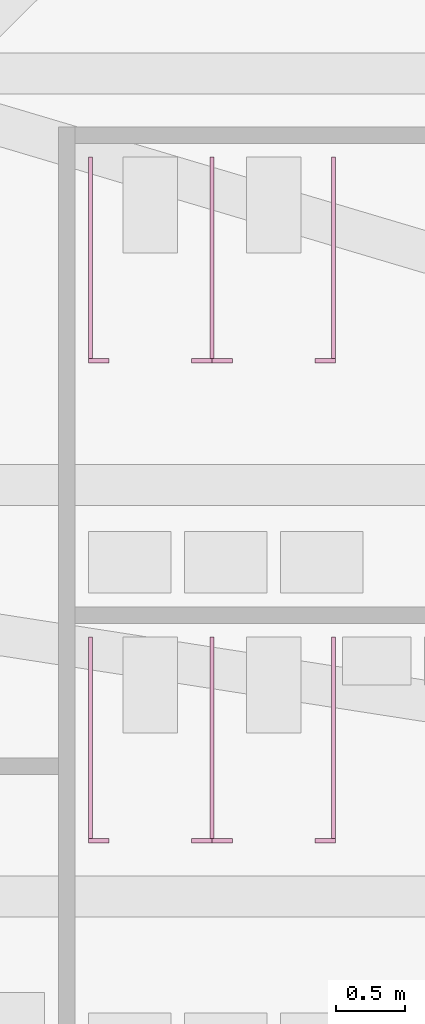
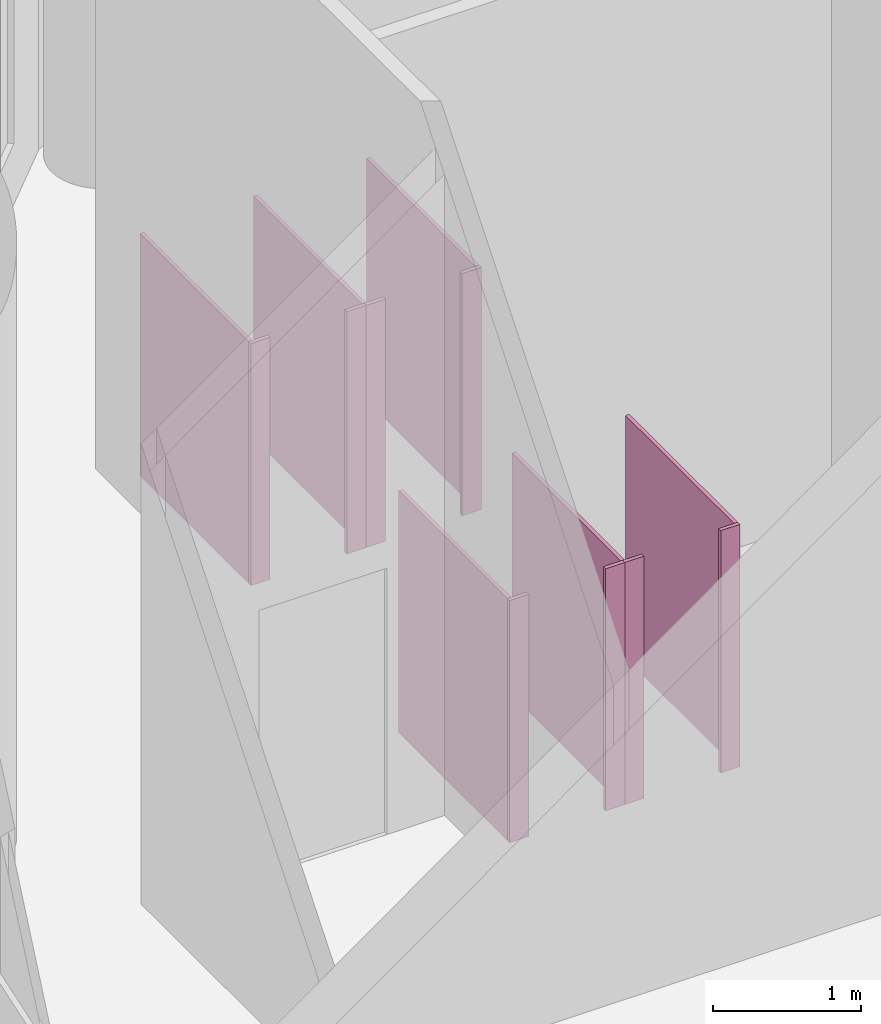
# One storey, part 11 of 11: 14 furniture elements.
"""IFC4 building model written with IfcOpenShell, lengths in metres."""

from ifc_helpers import new_model, si_unit, direction, frame, origin, origin_2d, place, context, subcontext, project, spatial, rectangle, extrude, element, save


model = new_model("IFC4")

# Units and contexts
model_context = context("Model", 3, precision=1e-05, world=origin(), true_north=direction((0.0, 1.0)))
body_context = subcontext(model_context, "Body", "Model", "MODEL_VIEW")
ifc_project = project(units=[si_unit("LENGTHUNIT", "METRE"), si_unit("AREAUNIT", "SQUARE_METRE"), si_unit("VOLUMEUNIT", "CUBIC_METRE"), si_unit("PLANEANGLEUNIT", "RADIAN"), si_unit("MASSUNIT", "GRAM", prefix="KILO")], contexts=[model_context])

# Site, building, storey
site_placement = place(None, origin())
site = spatial("IfcSite", under=ifc_project, at=site_placement, CompositionType="ELEMENT")
building_placement = place(site_placement, origin())
building = spatial("IfcBuilding", under=site, at=building_placement, Name="Hankou Lantern Tower", CompositionType="ELEMENT")
storey_placement = place(building_placement, frame((0.0, 0.0, 242.699951171875)))
storey = spatial("IfcBuildingStorey", under=building, at=storey_placement, Name="L65", CompositionType="ELEMENT", Elevation=242.699951171875)

# Furniture
for number, where, z_axis, x_axis, name in (
    (1, (-14.52490234375, 2.655029296875, 0.0), (0.0, 0.0, 1.0), (1.0, 0.0, 0.0), "Male WC cubicle partition 1"),
    (2, (-13.639892578125, 2.655029296875, 0.0), (0.0, 0.0, 1.0), (1.0, 0.0, 0.0), "Male WC cubicle partition 2"),
    (3, (-12.7548828125, 2.655029296875, 0.0), (0.0, 0.0, 1.0), (1.0, 0.0, 0.0), "Male WC cubicle partition 3"),
):
    element("IfcFurniture", number, at=place(storey_placement, frame(where, z_axis=z_axis, x_axis=x_axis)), inside=storey, Name=name, ObjectType="WC cubicle partition", PredefinedType="USERDEFINED", context=body_context, shape_type="SweptSolid", body=[
        extrude(rectangle(XDim=0.030029296875, YDim=1.469970703125, at=origin_2d()), origin(), (0.0, 0.0, 1.0), 2.0),
    ])
for number, where, z_axis, x_axis, name in (
    (4, (-14.465087890625, 1.905029296875, 0.0), (0.0, 0.0, 1.0), (1.0, 0.0, 0.0), "Male WC cubicle partition 4"),
    (5, (-13.715087890625, 1.905029296875, 0.0), (0.0, 0.0, 1.0), (1.0, 0.0, 0.0), "Male WC cubicle partition 5"),
    (6, (-13.56494140625, 1.905029296875, 0.0), (0.0, 0.0, 1.0), (1.0, 0.0, 0.0), "Male WC cubicle partition 6"),
    (7, (-12.81494140625, 1.905029296875, 0.0), (0.0, 0.0, 1.0), (1.0, 0.0, 0.0), "Male WC cubicle partition 7"),
):
    element("IfcFurniture", number, at=place(storey_placement, frame(where, z_axis=z_axis, x_axis=x_axis)), inside=storey, Name=name, ObjectType="WC cubicle partition", PredefinedType="USERDEFINED", context=body_context, shape_type="SweptSolid", body=[
        extrude(rectangle(XDim=0.14990234375, YDim=0.030029296875, at=origin_2d()), origin(), (0.0, 0.0, 1.0), 2.0),
    ])
for number, where, z_axis, x_axis, name in (
    (8, (-14.52490234375, 6.155029296875, 0.0), (0.0, 0.0, 1.0), (1.0, 0.0, 0.0), "Female WC cubicle partition 1"),
    (9, (-13.639892578125, 6.155029296875, 0.0), (0.0, 0.0, 1.0), (1.0, 0.0, 0.0), "Female WC cubicle partition 2"),
    (10, (-12.7548828125, 6.155029296875, 0.0), (0.0, 0.0, 1.0), (1.0, 0.0, 0.0), "Female WC cubicle partition 3"),
):
    element("IfcFurniture", number, at=place(storey_placement, frame(where, z_axis=z_axis, x_axis=x_axis)), inside=storey, Name=name, ObjectType="WC cubicle partition", PredefinedType="USERDEFINED", context=body_context, shape_type="SweptSolid", body=[
        extrude(rectangle(XDim=0.030029296875, YDim=1.469970703125, at=origin_2d()), origin(), (0.0, 0.0, 1.0), 2.0),
    ])
for number, where, z_axis, x_axis, name in (
    (11, (-14.465087890625, 5.405029296875, 0.0), (0.0, 0.0, 1.0), (1.0, 0.0, 0.0), "Female WC cubicle partition 4"),
    (12, (-13.715087890625, 5.405029296875, 0.0), (0.0, 0.0, 1.0), (1.0, 0.0, 0.0), "Female WC cubicle partition 5"),
    (13, (-13.56494140625, 5.405029296875, 0.0), (0.0, 0.0, 1.0), (1.0, 0.0, 0.0), "Female WC cubicle partition 6"),
    (14, (-12.81494140625, 5.405029296875, 0.0), (0.0, 0.0, 1.0), (1.0, 0.0, 0.0), "Female WC cubicle partition 7"),
):
    element("IfcFurniture", number, at=place(storey_placement, frame(where, z_axis=z_axis, x_axis=x_axis)), inside=storey, Name=name, ObjectType="WC cubicle partition", PredefinedType="USERDEFINED", context=body_context, shape_type="SweptSolid", body=[
        extrude(rectangle(XDim=0.14990234375, YDim=0.030029296875, at=origin_2d()), origin(), (0.0, 0.0, 1.0), 2.0),
    ])

save(model, "model.ifc")
